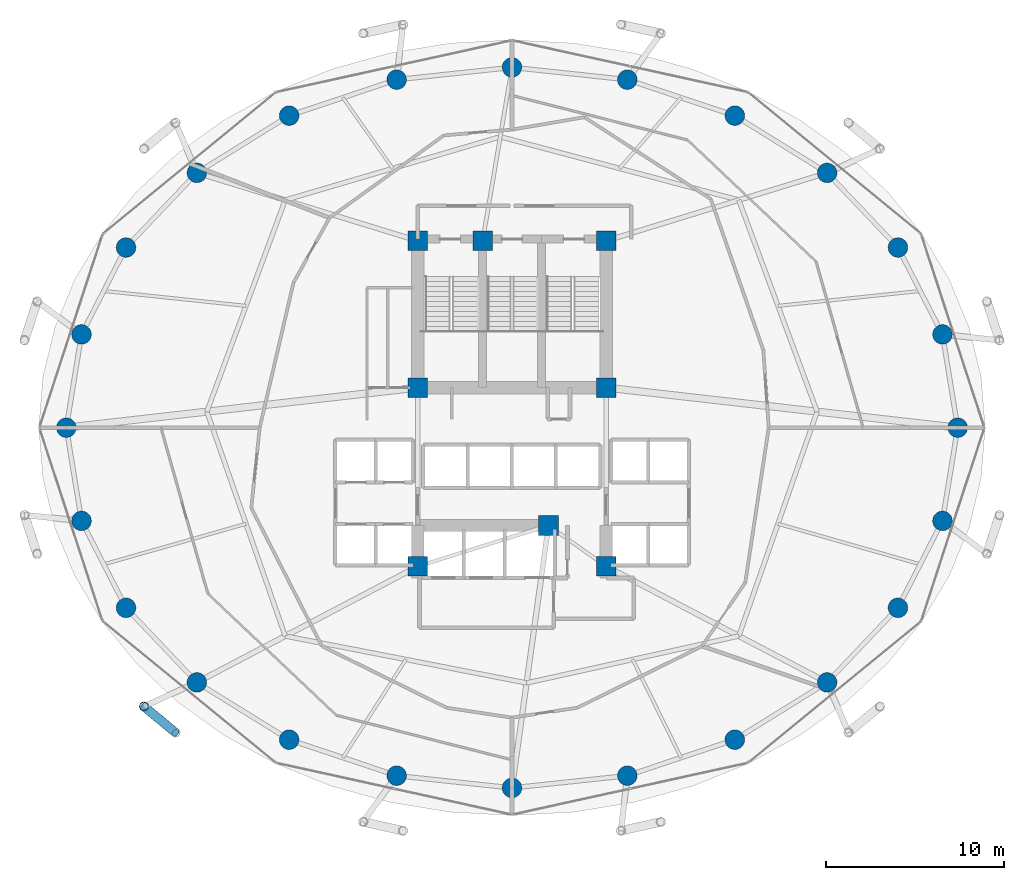
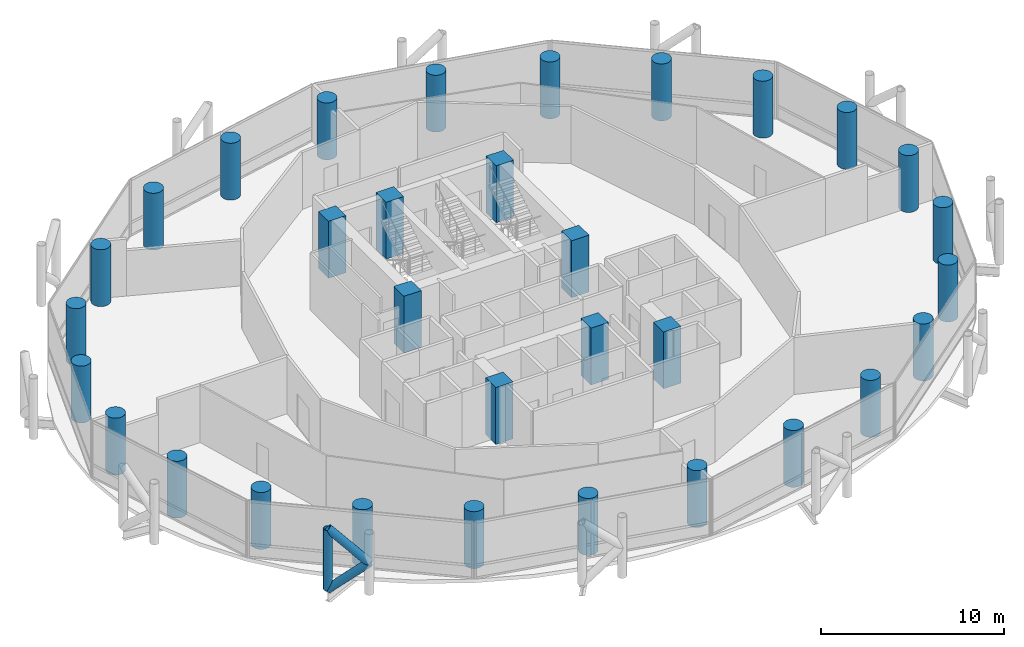
# One storey, part 1 of 24: 32 columns, 3 members.
"""IFC4 building model written with IfcOpenShell, lengths in metres."""

from ifc_helpers import new_model, si_unit, direction, frame, origin, origin_2d, place, context, subcontext, project, spatial, rectangle, circle, hollow_circle, extrude, material, material_profile, profile_set, type_object, element, save


model = new_model("IFC4")

# Units and contexts
model_context = context("Model", 3, precision=1e-05, world=origin(), true_north=direction((0.0, 1.0)))
body_context = subcontext(model_context, "Body", "Model", "MODEL_VIEW")
ifc_project = project(units=[si_unit("LENGTHUNIT", "METRE"), si_unit("AREAUNIT", "SQUARE_METRE"), si_unit("VOLUMEUNIT", "CUBIC_METRE"), si_unit("PLANEANGLEUNIT", "RADIAN"), si_unit("MASSUNIT", "GRAM", prefix="KILO")], contexts=[model_context])

# Site, building, storey
site_placement = place(None, origin())
site = spatial("IfcSite", under=ifc_project, at=site_placement, CompositionType="ELEMENT")
building_placement = place(site_placement, origin())
building = spatial("IfcBuilding", under=site, at=building_placement, Name="Nuhasar Tower", CompositionType="ELEMENT")
storey_placement = place(building_placement, frame((0.0, 0.0, 77.699951171875)))
storey = spatial("IfcBuildingStorey", under=building, at=storey_placement, Name="L18", CompositionType="ELEMENT", Elevation=77.699951171875)

# Columns
ifc_material_1 = material(Name="Concrete C80/95", Category="concrete")
ifc_material_profile_1 = material_profile(ifc_material_1, circle(Radius=0.550048828125, at=origin_2d()), Name="CFT1100")
ifc_profile_set_1 = profile_set([ifc_material_profile_1], Name="Concrete C80/95")
column_type_1 = type_object("IfcColumnType", Name="COL-CFT-1100", PredefinedType="COLUMN", material=ifc_profile_set_1)
for number, where, z_axis, x_axis, name in (
    (1, (64.050048828125, 26.800048828125, 0.0), (0.0, 0.0, 1.0), (1.0, 0.0, 0.0), "L18 Perimeter Composite Column TC-01"),
    (2, (63.196044921875, 32.041015625, 0.0), (0.0, 0.0, 1.0), (1.0, 0.0, 0.0), "L18 Perimeter Composite Column TC-02"),
    (3, (60.694091796875, 36.925048828125, 0.0), (0.0, 0.0, 1.0), (1.0, 0.0, 0.0), "L18 Perimeter Composite Column TC-03"),
    (4, (56.712890625, 41.118896484375, 0.0), (0.0, 0.0, 1.0), (1.0, 0.0, 0.0), "L18 Perimeter Composite Column TC-04"),
    (5, (51.52490234375, 44.3369140625, 0.0), (0.0, 0.0, 1.0), (1.0, 0.0, 0.0), "L18 Perimeter Composite Column TC-05"),
    (6, (45.48291015625, 46.360107421875, 0.0), (0.0, 0.0, 1.0), (1.0, 0.0, 0.0), "L18 Perimeter Composite Column TC-06"),
    (7, (39.0, 47.050048828125, 0.0), (0.0, 0.0, 1.0), (1.0, 0.0, 0.0), "L18 Perimeter Composite Column TC-07"),
    (8, (32.51708984375, 46.360107421875, 0.0), (0.0, 0.0, 1.0), (1.0, 0.0, 0.0), "L18 Perimeter Composite Column TC-08"),
    (9, (26.47509765625, 44.3369140625, 0.0), (0.0, 0.0, 1.0), (1.0, 0.0, 0.0), "L18 Perimeter Composite Column TC-09"),
    (10, (21.287109375, 41.118896484375, 0.0), (0.0, 0.0, 1.0), (1.0, 0.0, 0.0), "L18 Perimeter Composite Column TC-10"),
    (11, (17.305908203125, 36.925048828125, 0.0), (0.0, 0.0, 1.0), (1.0, 0.0, 0.0), "L18 Perimeter Composite Column TC-11"),
    (12, (14.803955078125, 32.041015625, 0.0), (0.0, 0.0, 1.0), (1.0, 0.0, 0.0), "L18 Perimeter Composite Column TC-12"),
    (13, (13.949951171875, 26.800048828125, 0.0), (0.0, 0.0, 1.0), (1.0, 0.0, 0.0), "L18 Perimeter Composite Column TC-13"),
    (14, (14.803955078125, 21.55908203125, 0.0), (0.0, 0.0, 1.0), (1.0, 0.0, 0.0), "L18 Perimeter Composite Column TC-14"),
    (15, (17.305908203125, 16.675048828125, 0.0), (0.0, 0.0, 1.0), (1.0, 0.0, 0.0), "L18 Perimeter Composite Column TC-15"),
    (16, (21.287109375, 12.48095703125, 0.0), (0.0, 0.0, 1.0), (1.0, 0.0, 0.0), "L18 Perimeter Composite Column TC-16"),
    (17, (26.47509765625, 9.262939453125, 0.0), (0.0, 0.0, 1.0), (1.0, 0.0, 0.0), "L18 Perimeter Composite Column TC-17"),
    (18, (32.51708984375, 7.239990234375, 0.0), (0.0, 0.0, 1.0), (1.0, 0.0, 0.0), "L18 Perimeter Composite Column TC-18"),
    (19, (39.0, 6.550048828125, 0.0), (0.0, 0.0, 1.0), (1.0, 0.0, 0.0), "L18 Perimeter Composite Column TC-19"),
    (20, (45.48291015625, 7.239990234375, 0.0), (0.0, 0.0, 1.0), (1.0, 0.0, 0.0), "L18 Perimeter Composite Column TC-20"),
    (21, (51.52490234375, 9.262939453125, 0.0), (0.0, 0.0, 1.0), (1.0, 0.0, 0.0), "L18 Perimeter Composite Column TC-21"),
    (22, (56.712890625, 12.48095703125, 0.0), (0.0, 0.0, 1.0), (1.0, 0.0, 0.0), "L18 Perimeter Composite Column TC-22"),
    (23, (60.694091796875, 16.675048828125, 0.0), (0.0, 0.0, 1.0), (1.0, 0.0, 0.0), "L18 Perimeter Composite Column TC-23"),
    (24, (63.196044921875, 21.55908203125, 0.0), (0.0, 0.0, 1.0), (1.0, 0.0, 0.0), "L18 Perimeter Composite Column TC-24"),
):
    element("IfcColumn", number, at=place(storey_placement, frame(where, z_axis=z_axis, x_axis=x_axis)), inside=storey, type_object=column_type_1, Name=name, PredefinedType="COLUMN", context=body_context, shape_type="SweptSolid", body=[
        extrude(circle(Radius=0.550048828125, at=origin_2d()), origin(), (0.0, 0.0, 1.0), 3.800048828125),
    ])
ifc_material_profile_2 = material_profile(ifc_material_1, rectangle(XDim=1.10009765625, YDim=1.10009765625, at=origin_2d()), Name="RC1100X1100")
ifc_profile_set_2 = profile_set([ifc_material_profile_2], Name="Concrete C80/95")
column_type_2 = type_object("IfcColumnType", Name="PIL-RC-1100", PredefinedType="PILASTER", material=ifc_profile_set_2)
for number, where, z_axis, x_axis, name in (
    (25, (33.699951171875, 19.0, 0.0), (0.0, 0.0, 1.0), (1.0, 0.0, 0.0), "L18 Core Boundary Pilaster CC-01"),
    (26, (41.050048828125, 21.300048828125, 0.0), (0.0, 0.0, 1.0), (1.0, 0.0, 0.0), "L18 Core Boundary Pilaster CC-02"),
    (27, (44.300048828125, 19.0, 0.0), (0.0, 0.0, 1.0), (1.0, 0.0, 0.0), "L18 Core Boundary Pilaster CC-03"),
    (28, (44.300048828125, 29.050048828125, 0.0), (0.0, 0.0, 1.0), (1.0, 0.0, 0.0), "L18 Core Boundary Pilaster CC-04"),
    (29, (44.300048828125, 37.300048828125, 0.0), (0.0, 0.0, 1.0), (1.0, 0.0, 0.0), "L18 Core Boundary Pilaster CC-05"),
    (30, (37.35009765625, 37.300048828125, 0.0), (0.0, 0.0, 1.0), (1.0, 0.0, 0.0), "L18 Core Boundary Pilaster CC-06"),
    (31, (33.699951171875, 37.300048828125, 0.0), (0.0, 0.0, 1.0), (1.0, 0.0, 0.0), "L18 Core Boundary Pilaster CC-07"),
    (32, (33.699951171875, 29.050048828125, 0.0), (0.0, 0.0, 1.0), (1.0, 0.0, 0.0), "L18 Core Boundary Pilaster CC-08"),
):
    element("IfcColumn", number, at=place(storey_placement, frame(where, z_axis=z_axis, x_axis=x_axis)), inside=storey, type_object=column_type_2, Name=name, PredefinedType="PILASTER", context=body_context, shape_type="SweptSolid", body=[
        extrude(rectangle(XDim=1.10009765625, YDim=1.10009765625, at=origin_2d()), origin(), (0.0, 0.0, 1.0), 3.800048828125),
    ])

# Members
ifc_material_2 = material(Name="Steel S460", Category="steel")
ifc_material_profile_3 = material_profile(ifc_material_2, hollow_circle(Radius=0.25390625, WallThickness=0.025390625, at=origin_2d()), Name="HSS508X25.4")
ifc_profile_set_3 = profile_set([ifc_material_profile_3], Name="Steel S460")
member_type = type_object("IfcMemberType", Name="EXO-BRONZE-508", PredefinedType="BRACE", material=ifc_profile_set_3)
member_1_placement = place(storey_placement, frame((18.31494140625, 11.12890625, 0.0), z_axis=(0.0, 0.0, 1.0), x_axis=(1.0, 0.0, 0.0)))
element("IfcMember", 33, at=member_1_placement, inside=storey, type_object=member_type, Name="L18 Exoskeleton Chord Column EC-08A", PredefinedType="BRACE", context=body_context, shape_type="SweptSolid", body=[
    extrude(hollow_circle(Radius=0.25390625, WallThickness=0.025390625, at=origin_2d()), origin(), (0.0, 0.0, 1.0), 4.050048828125),
])
member_2_placement = place(storey_placement, frame((18.31494140625, 11.12890625, 0.0), z_axis=(0.578071194894, -0.478911834514, 0.660664172175), x_axis=(0.637969333506, 0.770061769929, 0.0)))
element("IfcMember", 34, at=member_2_placement, inside=storey, type_object=member_type, Name="L18 Bronze Diagrid Brace W1-08", PredefinedType="BRACE", context=body_context, shape_type="SweptSolid", body=[
    extrude(hollow_circle(Radius=0.25390625, WallThickness=0.025390625, at=origin_2d()), origin(), (0.0, 0.0, 1.0), 3.0654296875),
])
member_3_placement = place(storey_placement, frame((20.0869140625, 9.660888671875, 2.025146484375), z_axis=(-0.578101613167, 0.478937034992, 0.660619286251), x_axis=(-0.637969333506, -0.770061769929, 0.0)))
element("IfcMember", 35, at=member_3_placement, inside=storey, type_object=member_type, Name="L18 Bronze Diagrid Brace W2-08", PredefinedType="BRACE", context=body_context, shape_type="SweptSolid", body=[
    extrude(hollow_circle(Radius=0.25390625, WallThickness=0.025390625, at=origin_2d()), origin(), (0.0, 0.0, 1.0), 3.065185546875),
])

save(model, "model.ifc")
